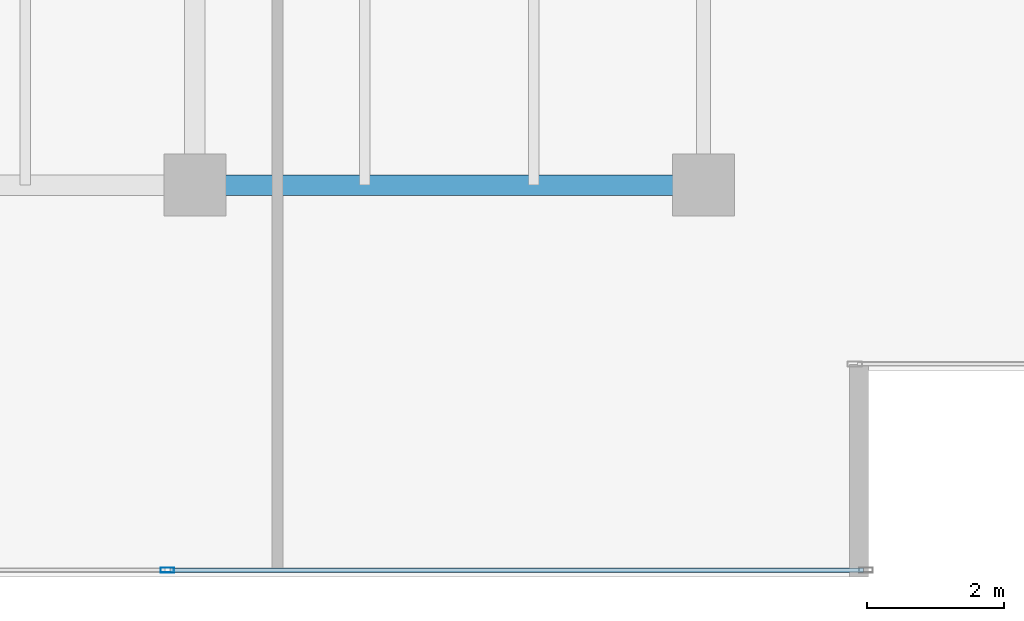
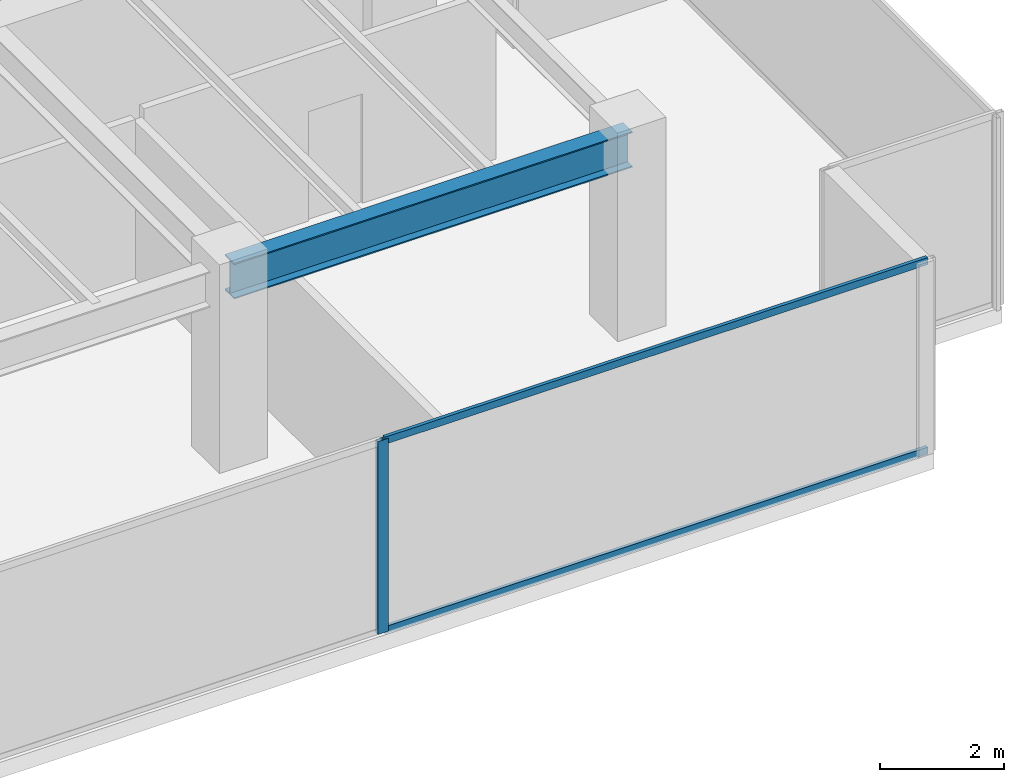
# One storey, part 12 of 30: 3 members, 1 beam, 1 element without a shape of its own.
"""IFC4 building model written with IfcOpenShell, lengths in metres."""

from ifc_helpers import new_model, si_unit, direction, frame, origin, origin_2d, place, context, subcontext, project, spatial, hollow_rectangle, i_section, extrude, source, transform, mapped, material, layer, layer_set, material_profile, profile_set, type_object, type_shapes, element, aggregate, save


model = new_model("IFC4")

# Units and contexts
model_context = context("Model", 3, precision=1e-05, world=origin(), true_north=direction((0.0, 1.0)))
body_context = subcontext(model_context, "Body", "Model", "MODEL_VIEW")
ifc_project = project(units=[si_unit("LENGTHUNIT", "METRE"), si_unit("AREAUNIT", "SQUARE_METRE"), si_unit("VOLUMEUNIT", "CUBIC_METRE"), si_unit("PLANEANGLEUNIT", "RADIAN"), si_unit("MASSUNIT", "GRAM", prefix="KILO")], contexts=[model_context])

# Site, building, storey
site_placement = place(None, origin())
site = spatial("IfcSite", under=ifc_project, at=site_placement, CompositionType="ELEMENT")
building_placement = place(site_placement, origin())
building = spatial("IfcBuilding", under=site, at=building_placement, Name="Haelvirn Gate Laboratories", CompositionType="ELEMENT")
storey_placement = place(building_placement, frame((0.0, 0.0, 125.60009765625)))
storey = spatial("IfcBuildingStorey", under=building, at=storey_placement, Name="L30", CompositionType="ELEMENT", Elevation=125.60009765625)

# Beam
ifc_material_1 = material(Name="Steel SM355", Category="steel")
ifc_material_profile_1 = material_profile(ifc_material_1, i_section(OverallWidth=0.300048828125, OverallDepth=0.699951171875, WebThickness=0.012939453125, FlangeThickness=0.02392578125, at=origin_2d()), Name="H-700x300x13x24")
ifc_profile_set_1 = profile_set([ifc_material_profile_1], Name="Steel SM355")
beam_type = type_object("IfcBeamType", Name="BM-G-700", PredefinedType="BEAM", material=ifc_profile_set_1)
shared_shape_1 = source(origin(), body_context, "Body", "SweptSolid", [
    extrude(i_section(OverallWidth=0.300048828125, OverallDepth=0.699951171875, WebThickness=0.012939453125, FlangeThickness=0.02392578125, at=origin_2d()), origin(), (0.0, 0.0, 1.0), 7.39990234375),
])
type_shapes(beam_type, [shared_shape_1])
beam_placement = place(storey_placement, frame((60.0, 7.0, 3.43994140625), z_axis=(1.0, 0.0, 0.0), x_axis=(0.0, 1.0, 0.0)))
element("IfcBeam", 1, at=beam_placement, inside=storey, type_object=beam_type, Name="L30 Primary Girder Y7.0 (60.0-67.4)", PredefinedType="BEAM", context=body_context, shape_type="MappedRepresentation", body=[
    mapped(shared_shape_1, transform((0.0, 0.0, 0.0), scale=1.0)),
])

# Curtain wall, members
ifc_material_2 = material(Name="Anodised bronze unitised aluminium & triple low-E glass", Category="aluminium")
ifc_layer = layer(ifc_material_2, 0.179931640625, Name="CW-SYS-3")
ifc_layer_set = layer_set([ifc_layer], Name="Anodised bronze unitised aluminium & triple low-E glass")
curtain_wall_type = type_object("IfcCurtainWallType", Name="CW-SYS-3", PredefinedType="NOTDEFINED", material=ifc_layer_set)
curtain_wall_placement = place(storey_placement, origin())
curtain_wall = element("IfcCurtainWall", 2, at=curtain_wall_placement, inside=storey, type_object=curtain_wall_type, Name="L30 Unitised Curtain Wall CW-L30-P0-E04-1", PredefinedType="NOTDEFINED")
ifc_material_3 = material(Name="Extruded aluminium 6063-T6 (anodised bronze)", Category="aluminium")
ifc_material_profile_2 = material_profile(ifc_material_3, hollow_rectangle(XDim=0.06494140625, YDim=0.139892578125, WallThickness=0.00390625, at=origin_2d()), Name="CWT-140x65x4")
ifc_profile_set_2 = profile_set([ifc_material_profile_2], Name="Extruded aluminium 6063-T6 (anodised bronze)")
member_type_1 = type_object("IfcMemberType", Name="CWT-T140", PredefinedType="USERDEFINED", material=ifc_profile_set_2)
shared_shape_2 = source(origin(), body_context, "Body", "SweptSolid", [
    extrude(hollow_rectangle(XDim=0.06494140625, YDim=0.139892578125, WallThickness=0.00390625, at=origin_2d()), origin(), (0.0, 0.0, 1.0), 10.087646484375),
])
type_shapes(member_type_1, [shared_shape_2])
member_1_placement = place(storey_placement, frame((59.637451171875, 1.39990234375, 0.032470703125), z_axis=(1.0, 0.0, 0.0), x_axis=(0.0, 1.0, 0.0)))
member_1 = element("IfcMember", 3, at=member_1_placement, type_object=member_type_1, Name="CW3 transom 2.1", ObjectType="TRANSOM", PredefinedType="USERDEFINED", context=body_context, shape_type="MappedRepresentation", body=[
    mapped(shared_shape_2, transform((0.0, 0.0, 0.0), scale=1.0)),
])
member_2_placement = place(storey_placement, frame((59.637451171875, 1.39990234375, 3.75732421875), z_axis=(1.0, 0.0, 0.0), x_axis=(0.0, 1.0, 0.0)))
member_2 = element("IfcMember", 4, at=member_2_placement, type_object=member_type_1, Name="CW3 transom 2.2", ObjectType="TRANSOM", PredefinedType="USERDEFINED", context=body_context, shape_type="MappedRepresentation", body=[
    mapped(shared_shape_2, transform((0.0, 0.0, 0.0), scale=1.0)),
])
ifc_material_profile_3 = material_profile(ifc_material_3, hollow_rectangle(XDim=0.074951171875, YDim=0.199951171875, WallThickness=0.0048828125, at=origin_2d()), Name="CWM-200x75x5")
ifc_profile_set_3 = profile_set([ifc_material_profile_3], Name="Extruded aluminium 6063-T6 (anodised bronze)")
member_type_2 = type_object("IfcMemberType", Name="CWM-T200", PredefinedType="MULLION", material=ifc_profile_set_3)
shared_shape_3 = source(origin(), body_context, "Body", "SweptSolid", [
    extrude(hollow_rectangle(XDim=0.074951171875, YDim=0.199951171875, WallThickness=0.0048828125, at=origin_2d()), origin(), (0.0, 0.0, 1.0), 3.789794921875),
])
type_shapes(member_type_2, [shared_shape_3])
member_3_placement = place(storey_placement, frame((59.60009765625, 1.39990234375, 0.0), z_axis=(0.0, 0.0, 1.0), x_axis=(0.0, 1.0, 0.0)))
member_3 = element("IfcMember", 5, at=member_3_placement, type_object=member_type_2, Name="CW3 mullion 2", PredefinedType="MULLION", context=body_context, shape_type="MappedRepresentation", body=[
    mapped(shared_shape_3, transform((0.0, 0.0, 0.0), scale=1.0)),
])
aggregate(curtain_wall, [member_3, member_1, member_2])

save(model, "model.ifc")
